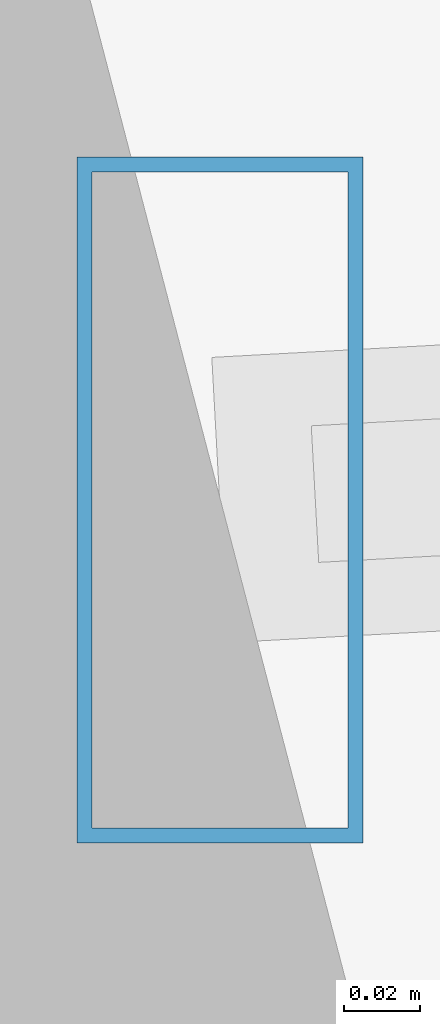
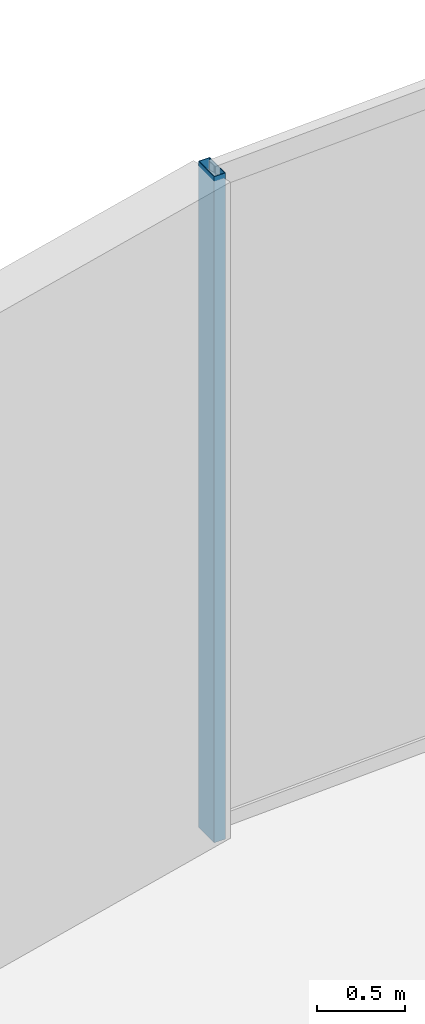
# One storey, part 17 of 32: 1 member, 1 element without a shape of its own.
"""IFC4 building model written with IfcOpenShell, lengths in metres."""

from ifc_helpers import new_model, si_unit, direction, frame, origin, origin_2d, place, context, subcontext, project, spatial, hollow_rectangle, extrude, material, material_profile, profile_set, type_object, element, aggregate, save


model = new_model("IFC4")

# Units and contexts
model_context = context("Model", 3, precision=1e-05, world=origin(), true_north=direction((0.0, 1.0)))
body_context = subcontext(model_context, "Body", "Model", "MODEL_VIEW")
ifc_project = project(units=[si_unit("LENGTHUNIT", "METRE"), si_unit("AREAUNIT", "SQUARE_METRE"), si_unit("VOLUMEUNIT", "CUBIC_METRE"), si_unit("PLANEANGLEUNIT", "RADIAN"), si_unit("MASSUNIT", "GRAM", prefix="KILO")], contexts=[model_context])

# Site, building, storey
site_placement = place(None, origin())
site = spatial("IfcSite", under=ifc_project, at=site_placement, CompositionType="ELEMENT")
building_placement = place(site_placement, origin())
building = spatial("IfcBuilding", under=site, at=building_placement, Name="Vorneva Point Tower", CompositionType="ELEMENT")
storey_placement = place(building_placement, frame((0.0, 0.0, 19.199951171875)))
storey = spatial("IfcBuildingStorey", under=building, at=storey_placement, Name="L04", CompositionType="ELEMENT", Elevation=19.199951171875)

# Curtain wall, member
ifc_material = material(Name="Pale anodised aluminium", Category="aluminium")
curtain_wall_type = type_object("IfcCurtainWallType", Name="CW-POD-SYS", PredefinedType="NOTDEFINED", material=ifc_material)
curtain_wall_placement = place(storey_placement, origin())
curtain_wall = element("IfcCurtainWall", 1, at=curtain_wall_placement, inside=storey, type_object=curtain_wall_type, Name="L04 Unitised Curtain Wall CW-L04-R02", PredefinedType="NOTDEFINED")
ifc_material_profile = material_profile(ifc_material, hollow_rectangle(XDim=0.074951171875, YDim=0.179931640625, WallThickness=0.00390625, at=origin_2d()), Name="AL-MUL 180x75x4")
ifc_profile_set = profile_set([ifc_material_profile], Name="Pale anodised aluminium")
member_type = type_object("IfcMemberType", Name="CW-MUL-180", PredefinedType="MULLION", material=ifc_profile_set)
member_placement = place(storey_placement, frame((19.517578125, 47.892822265625, -0.0400390625), z_axis=(0.0, 0.0, 1.0), x_axis=(1.0, 0.0, 0.0)))
member = element("IfcMember", 2, at=member_placement, type_object=member_type, Name="CW-L04-R02 Mullion 02", PredefinedType="MULLION", context=body_context, shape_type="SweptSolid", body=[
    extrude(hollow_rectangle(XDim=0.074951171875, YDim=0.179931640625, WallThickness=0.00390625, at=origin_2d()), origin(), (0.0, 0.0, 1.0), 4.610107421875),
])
aggregate(curtain_wall, [member])

save(model, "model.ifc")
